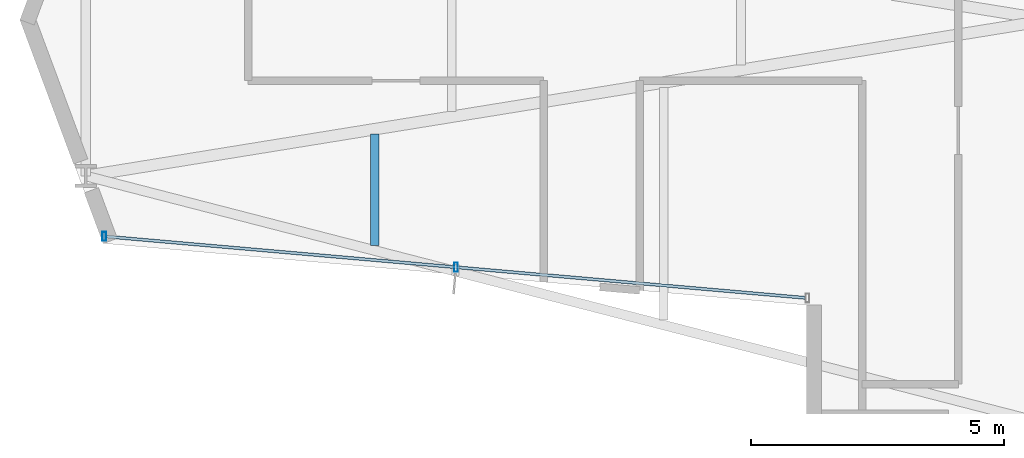
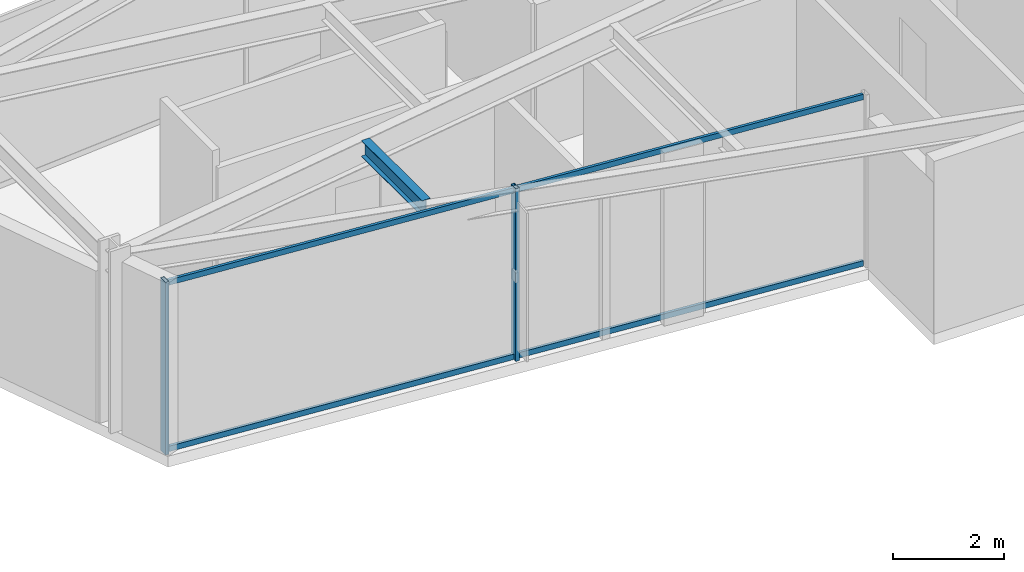
# One storey, part 2 of 25: 4 members, 1 beam, 1 element without a shape of its own.
"""IFC4 building model written with IfcOpenShell, lengths in metres."""

from ifc_helpers import new_model, si_unit, direction, frame, origin, origin_2d, place, context, subcontext, project, spatial, hollow_rectangle, i_section, extrude, material, layer, layer_set, material_profile, profile_set, type_object, element, aggregate, save


model = new_model("IFC4")

# Units and contexts
model_context = context("Model", 3, precision=1e-05, world=origin(), true_north=direction((0.0, 1.0)))
body_context = subcontext(model_context, "Body", "Model", "MODEL_VIEW")
ifc_project = project(units=[si_unit("LENGTHUNIT", "METRE"), si_unit("AREAUNIT", "SQUARE_METRE"), si_unit("VOLUMEUNIT", "CUBIC_METRE"), si_unit("PLANEANGLEUNIT", "RADIAN"), si_unit("MASSUNIT", "GRAM", prefix="KILO")], contexts=[model_context])

# Site, building, storey
site_placement = place(None, origin())
site = spatial("IfcSite", under=ifc_project, at=site_placement, CompositionType="ELEMENT")
building_placement = place(site_placement, origin())
building = spatial("IfcBuilding", under=site, at=building_placement, Name="Veymaron Broadcast Tower", CompositionType="ELEMENT")
storey_placement = place(building_placement, frame((0.0, 0.0, 169.5)))
storey = spatial("IfcBuildingStorey", under=building, at=storey_placement, Name="L39", CompositionType="ELEMENT", Elevation=169.5)

# Beam
ifc_material_1 = material(Name="Structural steel ASTM A992 Gr 50", Category="steel")
ifc_material_profile_1 = material_profile(ifc_material_1, i_section(OverallWidth=0.1708984375, OverallDepth=0.35498046875, WebThickness=0.007080078125, FlangeThickness=0.01171875, at=origin_2d()), Name="W360X51")
ifc_profile_set_1 = profile_set([ifc_material_profile_1], Name="Structural steel ASTM A992 Gr 50")
beam_type = type_object("IfcBeamType", Name="BM-JS2", PredefinedType="JOIST", material=ifc_profile_set_1)
beam_placement = place(storey_placement, frame((17.86279296875, 19.54052734375, 3.632568359375), z_axis=(0.0, 1.0, 0.0), x_axis=(-1.0, 0.0, 0.0)))
element("IfcBeam", 1, at=beam_placement, inside=storey, type_object=beam_type, Name="L39 Arm-A secondary joist 1S", PredefinedType="JOIST", context=body_context, shape_type="SweptSolid", body=[
    extrude(i_section(OverallWidth=0.1708984375, OverallDepth=0.35498046875, WebThickness=0.007080078125, FlangeThickness=0.01171875, at=origin_2d()), origin(), (0.0, 0.0, 1.0), 2.199951171875),
])

# Curtain wall, members
ifc_material_2 = material(Name="Anodised aluminium AA 6063-T6 and laminated low-E dark glass", Category="aluminium")
ifc_layer = layer(ifc_material_2, 0.179931640625)
ifc_layer_set = layer_set([ifc_layer], Name="Anodised aluminium AA 6063-T6 and laminated low-E dark glass")
curtain_wall_type = type_object("IfcCurtainWallType", Name="CW-SYS-03", PredefinedType="NOTDEFINED", material=ifc_layer_set)
curtain_wall_placement = place(storey_placement, origin())
curtain_wall = element("IfcCurtainWall", 2, at=curtain_wall_placement, inside=storey, type_object=curtain_wall_type, Name="L39 dark-glass curtain wall CW-L39-E14-1", PredefinedType="NOTDEFINED")
ifc_material_3 = material(Name="Anodised aluminium AA 6063-T6", Category="aluminium")
ifc_material_profile_2 = material_profile(ifc_material_3, hollow_rectangle(XDim=0.074951171875, YDim=0.179931640625, WallThickness=0.0048828125, at=origin_2d()), Name="AL180X75X5")
ifc_profile_set_2 = profile_set([ifc_material_profile_2], Name="Anodised aluminium AA 6063-T6")
member_type_1 = type_object("IfcMemberType", Name="CW-MUL-02", PredefinedType="MULLION", material=ifc_profile_set_2)
member_1_placement = place(storey_placement, frame((12.51220703125, 19.720458984375, 0.0), z_axis=(0.0, 0.0, 1.0), x_axis=(1.0, 0.0, 0.0)))
member_1 = element("IfcMember", 3, at=member_1_placement, type_object=member_type_1, Name="CW-L39-E14-1 mullion 0", PredefinedType="MULLION", context=body_context, shape_type="SweptSolid", body=[
    extrude(hollow_rectangle(XDim=0.074951171875, YDim=0.179931640625, WallThickness=0.0048828125, at=origin_2d()), origin(), (0.0, 0.0, 1.0), 3.81005859375),
])
member_2_placement = place(storey_placement, frame((19.46630859375, 19.110595703125, 0.0), z_axis=(0.0, 0.0, 1.0), x_axis=(1.0, 0.0, 0.0)))
member_2 = element("IfcMember", 4, at=member_2_placement, type_object=member_type_1, Name="CW-L39-E14-1 mullion 1", PredefinedType="MULLION", context=body_context, shape_type="SweptSolid", body=[
    extrude(hollow_rectangle(XDim=0.074951171875, YDim=0.179931640625, WallThickness=0.0048828125, at=origin_2d()), origin(), (0.0, 0.0, 1.0), 3.81005859375),
])
ifc_material_profile_3 = material_profile(ifc_material_3, hollow_rectangle(XDim=0.06005859375, YDim=0.1201171875, WallThickness=0.00390625, at=origin_2d()), Name="AL120X60X4")
ifc_profile_set_3 = profile_set([ifc_material_profile_3], Name="Anodised aluminium AA 6063-T6")
member_type_2 = type_object("IfcMemberType", Name="CW-TRN-02", PredefinedType="USERDEFINED", material=ifc_profile_set_3)
member_3_placement = place(storey_placement, frame((12.56201171875, 19.716064453125, 0.070068359375), z_axis=(0.996175208104, -0.087378228176, 0.0), x_axis=(0.087378228176, 0.996175208104, 0.0)))
member_3 = element("IfcMember", 5, at=member_3_placement, type_object=member_type_2, Name="CW-L39-E14-1 transom B", ObjectType="TRANSOM", PredefinedType="USERDEFINED", context=body_context, shape_type="SweptSolid", body=[
    extrude(hollow_rectangle(XDim=0.06005859375, YDim=0.1201171875, WallThickness=0.00390625, at=origin_2d()), origin(), (0.0, 0.0, 1.0), 13.861328125),
])
member_4_placement = place(storey_placement, frame((12.56201171875, 19.716064453125, 3.739990234375), z_axis=(0.996175208104, -0.087378228176, 0.0), x_axis=(0.087378228176, 0.996175208104, 0.0)))
member_4 = element("IfcMember", 6, at=member_4_placement, type_object=member_type_2, Name="CW-L39-E14-1 transom T", ObjectType="TRANSOM", PredefinedType="USERDEFINED", context=body_context, shape_type="SweptSolid", body=[
    extrude(hollow_rectangle(XDim=0.06005859375, YDim=0.1201171875, WallThickness=0.00390625, at=origin_2d()), origin(), (0.0, 0.0, 1.0), 13.861328125),
])
aggregate(curtain_wall, [member_1, member_2, member_3, member_4])

save(model, "model.ifc")
